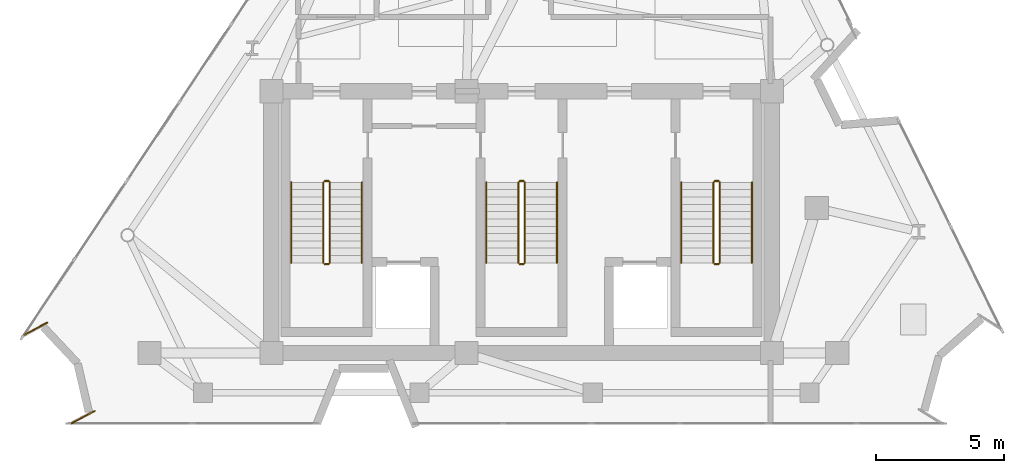
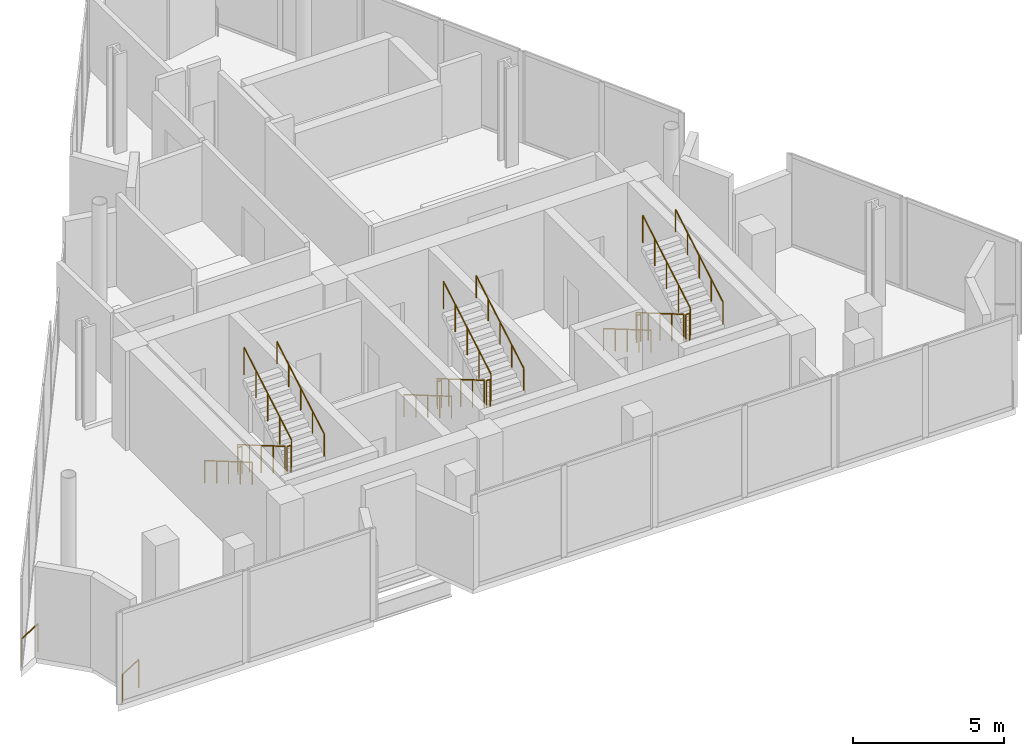
# One storey, part 8 of 9: 20 railings.
"""IFC4 building model written with IfcOpenShell, lengths in metres."""

from ifc_helpers import new_model, si_unit, direction, frame, origin, origin_2d, place, context, subcontext, project, spatial, circle, extrude, material, type_object, element, save


model = new_model("IFC4")

# Units and contexts
model_context = context("Model", 3, precision=1e-05, world=origin(), true_north=direction((0.0, 1.0)))
body_context = subcontext(model_context, "Body", "Model", "MODEL_VIEW")
ifc_project = project(units=[si_unit("LENGTHUNIT", "METRE"), si_unit("AREAUNIT", "SQUARE_METRE"), si_unit("VOLUMEUNIT", "CUBIC_METRE"), si_unit("PLANEANGLEUNIT", "RADIAN"), si_unit("MASSUNIT", "GRAM", prefix="KILO")], contexts=[model_context])

# Site, building, storey
site_placement = place(None, origin())
site = spatial("IfcSite", under=ifc_project, at=site_placement, CompositionType="ELEMENT")
building_placement = place(site_placement, origin())
building = spatial("IfcBuilding", under=site, at=building_placement, Name="Almagre Mirador Tower", CompositionType="ELEMENT")
storey_placement = place(building_placement, frame((0.0, 0.0, 310.5)))
storey = spatial("IfcBuildingStorey", under=building, at=storey_placement, Name="L80", CompositionType="ELEMENT", Elevation=310.5)

# Railings
ifc_material_1 = material(Name="Black anodized aluminium", Category="aluminium")
railing_type_1 = type_object("IfcRailingType", Name="RLG-BAL-1150", PredefinedType="BALUSTRADE", material=ifc_material_1)
railing_1_placement = place(storey_placement, frame((19.74951171875, 1.800537109375, 0.0)))
element("IfcRailing", 1, at=railing_1_placement, inside=storey, type_object=railing_type_1, Name="L80 perimeter edge balustrade 06", PredefinedType="BALUSTRADE", context=body_context, shape_type="SweptSolid", body=[
    extrude(circle(Radius=0.02392578125, at=origin_2d()), frame((0.0, 0.0, 1.1259765625), z_axis=(0.881494030228, 0.472195165871, 0.0), x_axis=(-0.472195165871, 0.881494030228, 0.0)), (0.0, 0.0, 1.0), 1.032470703125),
    extrude(circle(Radius=0.02099609375, at=origin_2d()), origin(), (0.0, 0.0, 1.0), 1.101806640625),
    extrude(circle(Radius=0.02099609375, at=origin_2d()), frame((0.91015625, 0.487548828125, 0.0)), (0.0, 0.0, 1.0), 1.101806640625),
])
railing_2_placement = place(storey_placement, frame((18.814697265625, 5.7373046875, 0.0)))
element("IfcRailing", 2, at=railing_2_placement, inside=storey, type_object=railing_type_1, Name="L80 perimeter edge balustrade 07", PredefinedType="BALUSTRADE", context=body_context, shape_type="SweptSolid", body=[
    extrude(circle(Radius=0.02392578125, at=origin_2d()), frame((0.0, 0.0, 1.1259765625), z_axis=(-0.881985926768, -0.471275741985, 0.0), x_axis=(0.471275741985, -0.881985926768, 0.0)), (0.0, 0.0, 1.0), 1.031982421875),
    extrude(circle(Radius=0.02099609375, at=origin_2d()), origin(), (0.0, 0.0, 1.0), 1.101806640625),
    extrude(circle(Radius=0.02099609375, at=origin_2d()), frame((-0.91015625, -0.486328125, 0.0)), (0.0, 0.0, 1.0), 1.101806640625),
])
ifc_material_2 = material(Name="Painted galvanized steel", Category="steel")
railing_type_2 = type_object("IfcRailingType", Name="RLG-GRD-1100", PredefinedType="GUARDRAIL", material=ifc_material_2)
railing_3_placement = place(storey_placement, frame((29.574951171875, 11.199951171875, 0.166748046875)))
element("IfcRailing", 3, at=railing_3_placement, inside=storey, type_object=railing_type_2, Name="L80 ST-1 stair guard 1", PredefinedType="GUARDRAIL", context=body_context, shape_type="SweptSolid", body=[
    extrude(circle(Radius=0.02392578125, at=origin_2d()), frame((0.0, 0.0, 1.09619140625), z_axis=(0.0, -0.863239559939, 0.504794475164), x_axis=(1.0, 0.0, 0.0)), (0.0, 0.0, 1.0), 3.631591796875),
    extrude(circle(Radius=0.02099609375, at=origin_2d()), origin(), (0.0, 0.0, 1.0), 1.072021484375),
    extrude(circle(Radius=0.02099609375, at=origin_2d()), frame((0.0, -0.78369140625, 0.458251953125)), (0.0, 0.0, 1.0), 1.072021484375),
    extrude(circle(Radius=0.02099609375, at=origin_2d()), frame((0.0, -1.5673828125, 0.91650390625)), (0.0, 0.0, 1.0), 1.072021484375),
    extrude(circle(Radius=0.02099609375, at=origin_2d()), frame((0.0, -2.351318359375, 1.375)), (0.0, 0.0, 1.0), 1.072021484375),
    extrude(circle(Radius=0.02099609375, at=origin_2d()), frame((0.0, -3.135009765625, 1.833251953125)), (0.0, 0.0, 1.0), 1.072021484375),
])
railing_4_placement = place(storey_placement, frame((29.625, 8.014892578125, 2.0)))
element("IfcRailing", 4, at=railing_4_placement, inside=storey, type_object=railing_type_2, Name="L80 ST-1 stair guard 2", PredefinedType="GUARDRAIL", context=body_context, shape_type="SweptSolid", body=[
    extrude(circle(Radius=0.02392578125, at=origin_2d()), frame((0.0, 0.0, 1.09619140625), z_axis=(1.0, 0.0, 0.0), x_axis=(0.0, 1.0, 0.0)), (0.0, 0.0, 1.0), 0.14990234375),
    extrude(circle(Radius=0.02099609375, at=origin_2d()), origin(), (0.0, 0.0, 1.0), 1.072021484375),
    extrude(circle(Radius=0.02099609375, at=origin_2d()), frame((0.14990234375, 0.0, 0.0)), (0.0, 0.0, 1.0), 1.072021484375),
])
railing_5_placement = place(storey_placement, frame((29.824951171875, 8.06494140625, 2.166748046875)))
element("IfcRailing", 5, at=railing_5_placement, inside=storey, type_object=railing_type_2, Name="L80 ST-1 stair guard 3", PredefinedType="GUARDRAIL", context=body_context, shape_type="SweptSolid", body=[
    extrude(circle(Radius=0.02392578125, at=origin_2d()), frame((0.0, 0.0, 1.09619140625), z_axis=(0.0, 0.863239559939, 0.504794475164), x_axis=(-1.0, 0.0, 0.0)), (0.0, 0.0, 1.0), 3.631591796875),
    extrude(circle(Radius=0.02099609375, at=origin_2d()), origin(), (0.0, 0.0, 1.0), 1.072021484375),
    extrude(circle(Radius=0.02099609375, at=origin_2d()), frame((0.0, 0.78369140625, 0.458251953125)), (0.0, 0.0, 1.0), 1.072021484375),
    extrude(circle(Radius=0.02099609375, at=origin_2d()), frame((0.0, 1.5673828125, 0.91650390625)), (0.0, 0.0, 1.0), 1.072021484375),
    extrude(circle(Radius=0.02099609375, at=origin_2d()), frame((0.0, 2.351318359375, 1.375)), (0.0, 0.0, 1.0), 1.072021484375),
    extrude(circle(Radius=0.02099609375, at=origin_2d()), frame((0.0, 3.135009765625, 1.833251953125)), (0.0, 0.0, 1.0), 1.072021484375),
])
railing_6_placement = place(storey_placement, frame((29.625, 11.25, 0.0)))
element("IfcRailing", 6, at=railing_6_placement, inside=storey, type_object=railing_type_2, Name="L80 ST-1 stair guard 4", PredefinedType="GUARDRAIL", context=body_context, shape_type="SweptSolid", body=[
    extrude(circle(Radius=0.02392578125, at=origin_2d()), frame((0.0, 0.0, 1.09619140625), z_axis=(1.0, 0.0, 0.0), x_axis=(0.0, 1.0, 0.0)), (0.0, 0.0, 1.0), 0.14990234375),
    extrude(circle(Radius=0.02099609375, at=origin_2d()), origin(), (0.0, 0.0, 1.0), 1.072021484375),
    extrude(circle(Radius=0.02099609375, at=origin_2d()), frame((0.14990234375, 0.0, 0.0)), (0.0, 0.0, 1.0), 1.072021484375),
])
railing_7_placement = place(storey_placement, frame((37.175048828125, 11.199951171875, 0.166748046875)))
element("IfcRailing", 7, at=railing_7_placement, inside=storey, type_object=railing_type_2, Name="L80 ST-2 stair guard 1", PredefinedType="GUARDRAIL", context=body_context, shape_type="SweptSolid", body=[
    extrude(circle(Radius=0.02392578125, at=origin_2d()), frame((0.0, 0.0, 1.09619140625), z_axis=(0.0, -0.863239559939, 0.504794475164), x_axis=(1.0, 0.0, 0.0)), (0.0, 0.0, 1.0), 3.631591796875),
    extrude(circle(Radius=0.02099609375, at=origin_2d()), origin(), (0.0, 0.0, 1.0), 1.072021484375),
    extrude(circle(Radius=0.02099609375, at=origin_2d()), frame((0.0, -0.78369140625, 0.458251953125)), (0.0, 0.0, 1.0), 1.072021484375),
    extrude(circle(Radius=0.02099609375, at=origin_2d()), frame((0.0, -1.5673828125, 0.91650390625)), (0.0, 0.0, 1.0), 1.072021484375),
    extrude(circle(Radius=0.02099609375, at=origin_2d()), frame((0.0, -2.351318359375, 1.375)), (0.0, 0.0, 1.0), 1.072021484375),
    extrude(circle(Radius=0.02099609375, at=origin_2d()), frame((0.0, -3.135009765625, 1.833251953125)), (0.0, 0.0, 1.0), 1.072021484375),
])
railing_8_placement = place(storey_placement, frame((37.22509765625, 8.014892578125, 2.0)))
element("IfcRailing", 8, at=railing_8_placement, inside=storey, type_object=railing_type_2, Name="L80 ST-2 stair guard 2", PredefinedType="GUARDRAIL", context=body_context, shape_type="SweptSolid", body=[
    extrude(circle(Radius=0.02392578125, at=origin_2d()), frame((0.0, 0.0, 1.09619140625), z_axis=(1.0, 0.0, 0.0), x_axis=(0.0, 1.0, 0.0)), (0.0, 0.0, 1.0), 0.14990234375),
    extrude(circle(Radius=0.02099609375, at=origin_2d()), origin(), (0.0, 0.0, 1.0), 1.072021484375),
    extrude(circle(Radius=0.02099609375, at=origin_2d()), frame((0.14990234375, 0.0, 0.0)), (0.0, 0.0, 1.0), 1.072021484375),
])
railing_9_placement = place(storey_placement, frame((37.425048828125, 8.06494140625, 2.166748046875)))
element("IfcRailing", 9, at=railing_9_placement, inside=storey, type_object=railing_type_2, Name="L80 ST-2 stair guard 3", PredefinedType="GUARDRAIL", context=body_context, shape_type="SweptSolid", body=[
    extrude(circle(Radius=0.02392578125, at=origin_2d()), frame((0.0, 0.0, 1.09619140625), z_axis=(0.0, 0.863239559939, 0.504794475164), x_axis=(-1.0, 0.0, 0.0)), (0.0, 0.0, 1.0), 3.631591796875),
    extrude(circle(Radius=0.02099609375, at=origin_2d()), origin(), (0.0, 0.0, 1.0), 1.072021484375),
    extrude(circle(Radius=0.02099609375, at=origin_2d()), frame((0.0, 0.78369140625, 0.458251953125)), (0.0, 0.0, 1.0), 1.072021484375),
    extrude(circle(Radius=0.02099609375, at=origin_2d()), frame((0.0, 1.5673828125, 0.91650390625)), (0.0, 0.0, 1.0), 1.072021484375),
    extrude(circle(Radius=0.02099609375, at=origin_2d()), frame((0.0, 2.351318359375, 1.375)), (0.0, 0.0, 1.0), 1.072021484375),
    extrude(circle(Radius=0.02099609375, at=origin_2d()), frame((0.0, 3.135009765625, 1.833251953125)), (0.0, 0.0, 1.0), 1.072021484375),
])
railing_10_placement = place(storey_placement, frame((37.22509765625, 11.25, 0.0)))
element("IfcRailing", 10, at=railing_10_placement, inside=storey, type_object=railing_type_2, Name="L80 ST-2 stair guard 4", PredefinedType="GUARDRAIL", context=body_context, shape_type="SweptSolid", body=[
    extrude(circle(Radius=0.02392578125, at=origin_2d()), frame((0.0, 0.0, 1.09619140625), z_axis=(1.0, 0.0, 0.0), x_axis=(0.0, 1.0, 0.0)), (0.0, 0.0, 1.0), 0.14990234375),
    extrude(circle(Radius=0.02099609375, at=origin_2d()), origin(), (0.0, 0.0, 1.0), 1.072021484375),
    extrude(circle(Radius=0.02099609375, at=origin_2d()), frame((0.14990234375, 0.0, 0.0)), (0.0, 0.0, 1.0), 1.072021484375),
])
railing_11_placement = place(storey_placement, frame((44.77490234375, 11.199951171875, 0.166748046875)))
element("IfcRailing", 11, at=railing_11_placement, inside=storey, type_object=railing_type_2, Name="L80 ST-3 stair guard 1", PredefinedType="GUARDRAIL", context=body_context, shape_type="SweptSolid", body=[
    extrude(circle(Radius=0.02392578125, at=origin_2d()), frame((0.0, 0.0, 1.09619140625), z_axis=(0.0, -0.863239559939, 0.504794475164), x_axis=(1.0, 0.0, 0.0)), (0.0, 0.0, 1.0), 3.631591796875),
    extrude(circle(Radius=0.02099609375, at=origin_2d()), origin(), (0.0, 0.0, 1.0), 1.072021484375),
    extrude(circle(Radius=0.02099609375, at=origin_2d()), frame((0.0, -0.78369140625, 0.458251953125)), (0.0, 0.0, 1.0), 1.072021484375),
    extrude(circle(Radius=0.02099609375, at=origin_2d()), frame((0.0, -1.5673828125, 0.91650390625)), (0.0, 0.0, 1.0), 1.072021484375),
    extrude(circle(Radius=0.02099609375, at=origin_2d()), frame((0.0, -2.351318359375, 1.375)), (0.0, 0.0, 1.0), 1.072021484375),
    extrude(circle(Radius=0.02099609375, at=origin_2d()), frame((0.0, -3.135009765625, 1.833251953125)), (0.0, 0.0, 1.0), 1.072021484375),
])
railing_12_placement = place(storey_placement, frame((44.824951171875, 8.014892578125, 2.0)))
element("IfcRailing", 12, at=railing_12_placement, inside=storey, type_object=railing_type_2, Name="L80 ST-3 stair guard 2", PredefinedType="GUARDRAIL", context=body_context, shape_type="SweptSolid", body=[
    extrude(circle(Radius=0.02392578125, at=origin_2d()), frame((0.0, 0.0, 1.09619140625), z_axis=(1.0, 0.0, 0.0), x_axis=(0.0, 1.0, 0.0)), (0.0, 0.0, 1.0), 0.150146484375),
    extrude(circle(Radius=0.02099609375, at=origin_2d()), origin(), (0.0, 0.0, 1.0), 1.072021484375),
    extrude(circle(Radius=0.02099609375, at=origin_2d()), frame((0.150146484375, 0.0, 0.0)), (0.0, 0.0, 1.0), 1.072021484375),
])
railing_13_placement = place(storey_placement, frame((45.02490234375, 8.06494140625, 2.166748046875)))
element("IfcRailing", 13, at=railing_13_placement, inside=storey, type_object=railing_type_2, Name="L80 ST-3 stair guard 3", PredefinedType="GUARDRAIL", context=body_context, shape_type="SweptSolid", body=[
    extrude(circle(Radius=0.02392578125, at=origin_2d()), frame((0.0, 0.0, 1.09619140625), z_axis=(0.0, 0.863239559939, 0.504794475164), x_axis=(-1.0, 0.0, 0.0)), (0.0, 0.0, 1.0), 3.631591796875),
    extrude(circle(Radius=0.02099609375, at=origin_2d()), origin(), (0.0, 0.0, 1.0), 1.072021484375),
    extrude(circle(Radius=0.02099609375, at=origin_2d()), frame((0.0, 0.78369140625, 0.458251953125)), (0.0, 0.0, 1.0), 1.072021484375),
    extrude(circle(Radius=0.02099609375, at=origin_2d()), frame((0.0, 1.5673828125, 0.91650390625)), (0.0, 0.0, 1.0), 1.072021484375),
    extrude(circle(Radius=0.02099609375, at=origin_2d()), frame((0.0, 2.351318359375, 1.375)), (0.0, 0.0, 1.0), 1.072021484375),
    extrude(circle(Radius=0.02099609375, at=origin_2d()), frame((0.0, 3.135009765625, 1.833251953125)), (0.0, 0.0, 1.0), 1.072021484375),
])
railing_14_placement = place(storey_placement, frame((44.824951171875, 11.25, 0.0)))
element("IfcRailing", 14, at=railing_14_placement, inside=storey, type_object=railing_type_2, Name="L80 ST-3 stair guard 4", PredefinedType="GUARDRAIL", context=body_context, shape_type="SweptSolid", body=[
    extrude(circle(Radius=0.02392578125, at=origin_2d()), frame((0.0, 0.0, 1.09619140625), z_axis=(1.0, 0.0, 0.0), x_axis=(0.0, 1.0, 0.0)), (0.0, 0.0, 1.0), 0.150146484375),
    extrude(circle(Radius=0.02099609375, at=origin_2d()), origin(), (0.0, 0.0, 1.0), 1.072021484375),
    extrude(circle(Radius=0.02099609375, at=origin_2d()), frame((0.150146484375, 0.0, 0.0)), (0.0, 0.0, 1.0), 1.072021484375),
])
ifc_material_3 = material(Name="Brushed stainless steel", Category="steel")
railing_type_3 = type_object("IfcRailingType", Name="RLG-HND-915", PredefinedType="HANDRAIL", material=ifc_material_3)
railing_15_placement = place(storey_placement, frame((28.324951171875, 11.199951171875, 0.166748046875)))
element("IfcRailing", 15, at=railing_15_placement, inside=storey, type_object=railing_type_3, Name="L80 ST-1 stair handrail 1", PredefinedType="HANDRAIL", context=body_context, shape_type="SweptSolid", body=[
    extrude(circle(Radius=0.02392578125, at=origin_2d()), frame((0.0, 0.0, 0.89111328125), z_axis=(0.0, -0.863239559939, 0.504794475164), x_axis=(1.0, 0.0, 0.0)), (0.0, 0.0, 1.0), 3.631591796875),
    extrude(circle(Radius=0.02099609375, at=origin_2d()), origin(), (0.0, 0.0, 1.0), 0.866943359375),
    extrude(circle(Radius=0.02099609375, at=origin_2d()), frame((0.0, -0.78369140625, 0.458251953125)), (0.0, 0.0, 1.0), 0.866943359375),
    extrude(circle(Radius=0.02099609375, at=origin_2d()), frame((0.0, -1.5673828125, 0.91650390625)), (0.0, 0.0, 1.0), 0.866943359375),
    extrude(circle(Radius=0.02099609375, at=origin_2d()), frame((0.0, -2.351318359375, 1.375)), (0.0, 0.0, 1.0), 0.866943359375),
    extrude(circle(Radius=0.02099609375, at=origin_2d()), frame((0.0, -3.135009765625, 1.833251953125)), (0.0, 0.0, 1.0), 0.866943359375),
])
railing_16_placement = place(storey_placement, frame((31.074951171875, 8.06494140625, 2.166748046875)))
element("IfcRailing", 16, at=railing_16_placement, inside=storey, type_object=railing_type_3, Name="L80 ST-1 stair handrail 2", PredefinedType="HANDRAIL", context=body_context, shape_type="SweptSolid", body=[
    extrude(circle(Radius=0.02392578125, at=origin_2d()), frame((0.0, 0.0, 0.89111328125), z_axis=(0.0, 0.863239559939, 0.504794475164), x_axis=(-1.0, 0.0, 0.0)), (0.0, 0.0, 1.0), 3.631591796875),
    extrude(circle(Radius=0.02099609375, at=origin_2d()), origin(), (0.0, 0.0, 1.0), 0.866943359375),
    extrude(circle(Radius=0.02099609375, at=origin_2d()), frame((0.0, 0.78369140625, 0.458251953125)), (0.0, 0.0, 1.0), 0.866943359375),
    extrude(circle(Radius=0.02099609375, at=origin_2d()), frame((0.0, 1.5673828125, 0.91650390625)), (0.0, 0.0, 1.0), 0.866943359375),
    extrude(circle(Radius=0.02099609375, at=origin_2d()), frame((0.0, 2.351318359375, 1.375)), (0.0, 0.0, 1.0), 0.866943359375),
    extrude(circle(Radius=0.02099609375, at=origin_2d()), frame((0.0, 3.135009765625, 1.833251953125)), (0.0, 0.0, 1.0), 0.866943359375),
])
railing_17_placement = place(storey_placement, frame((35.925048828125, 11.199951171875, 0.166748046875)))
element("IfcRailing", 17, at=railing_17_placement, inside=storey, type_object=railing_type_3, Name="L80 ST-2 stair handrail 1", PredefinedType="HANDRAIL", context=body_context, shape_type="SweptSolid", body=[
    extrude(circle(Radius=0.02392578125, at=origin_2d()), frame((0.0, 0.0, 0.89111328125), z_axis=(0.0, -0.863239559939, 0.504794475164), x_axis=(1.0, 0.0, 0.0)), (0.0, 0.0, 1.0), 3.631591796875),
    extrude(circle(Radius=0.02099609375, at=origin_2d()), origin(), (0.0, 0.0, 1.0), 0.866943359375),
    extrude(circle(Radius=0.02099609375, at=origin_2d()), frame((0.0, -0.78369140625, 0.458251953125)), (0.0, 0.0, 1.0), 0.866943359375),
    extrude(circle(Radius=0.02099609375, at=origin_2d()), frame((0.0, -1.5673828125, 0.91650390625)), (0.0, 0.0, 1.0), 0.866943359375),
    extrude(circle(Radius=0.02099609375, at=origin_2d()), frame((0.0, -2.351318359375, 1.375)), (0.0, 0.0, 1.0), 0.866943359375),
    extrude(circle(Radius=0.02099609375, at=origin_2d()), frame((0.0, -3.135009765625, 1.833251953125)), (0.0, 0.0, 1.0), 0.866943359375),
])
railing_18_placement = place(storey_placement, frame((38.675048828125, 8.06494140625, 2.166748046875)))
element("IfcRailing", 18, at=railing_18_placement, inside=storey, type_object=railing_type_3, Name="L80 ST-2 stair handrail 2", PredefinedType="HANDRAIL", context=body_context, shape_type="SweptSolid", body=[
    extrude(circle(Radius=0.02392578125, at=origin_2d()), frame((0.0, 0.0, 0.89111328125), z_axis=(0.0, 0.863239559939, 0.504794475164), x_axis=(-1.0, 0.0, 0.0)), (0.0, 0.0, 1.0), 3.631591796875),
    extrude(circle(Radius=0.02099609375, at=origin_2d()), origin(), (0.0, 0.0, 1.0), 0.866943359375),
    extrude(circle(Radius=0.02099609375, at=origin_2d()), frame((0.0, 0.78369140625, 0.458251953125)), (0.0, 0.0, 1.0), 0.866943359375),
    extrude(circle(Radius=0.02099609375, at=origin_2d()), frame((0.0, 1.5673828125, 0.91650390625)), (0.0, 0.0, 1.0), 0.866943359375),
    extrude(circle(Radius=0.02099609375, at=origin_2d()), frame((0.0, 2.351318359375, 1.375)), (0.0, 0.0, 1.0), 0.866943359375),
    extrude(circle(Radius=0.02099609375, at=origin_2d()), frame((0.0, 3.135009765625, 1.833251953125)), (0.0, 0.0, 1.0), 0.866943359375),
])
railing_19_placement = place(storey_placement, frame((43.52490234375, 11.199951171875, 0.166748046875)))
element("IfcRailing", 19, at=railing_19_placement, inside=storey, type_object=railing_type_3, Name="L80 ST-3 stair handrail 1", PredefinedType="HANDRAIL", context=body_context, shape_type="SweptSolid", body=[
    extrude(circle(Radius=0.02392578125, at=origin_2d()), frame((0.0, 0.0, 0.89111328125), z_axis=(0.0, -0.863239559939, 0.504794475164), x_axis=(1.0, 0.0, 0.0)), (0.0, 0.0, 1.0), 3.631591796875),
    extrude(circle(Radius=0.02099609375, at=origin_2d()), origin(), (0.0, 0.0, 1.0), 0.866943359375),
    extrude(circle(Radius=0.02099609375, at=origin_2d()), frame((0.0, -0.78369140625, 0.458251953125)), (0.0, 0.0, 1.0), 0.866943359375),
    extrude(circle(Radius=0.02099609375, at=origin_2d()), frame((0.0, -1.5673828125, 0.91650390625)), (0.0, 0.0, 1.0), 0.866943359375),
    extrude(circle(Radius=0.02099609375, at=origin_2d()), frame((0.0, -2.351318359375, 1.375)), (0.0, 0.0, 1.0), 0.866943359375),
    extrude(circle(Radius=0.02099609375, at=origin_2d()), frame((0.0, -3.135009765625, 1.833251953125)), (0.0, 0.0, 1.0), 0.866943359375),
])
railing_20_placement = place(storey_placement, frame((46.27490234375, 8.06494140625, 2.166748046875)))
element("IfcRailing", 20, at=railing_20_placement, inside=storey, type_object=railing_type_3, Name="L80 ST-3 stair handrail 2", PredefinedType="HANDRAIL", context=body_context, shape_type="SweptSolid", body=[
    extrude(circle(Radius=0.02392578125, at=origin_2d()), frame((0.0, 0.0, 0.89111328125), z_axis=(0.0, 0.863239559939, 0.504794475164), x_axis=(-1.0, 0.0, 0.0)), (0.0, 0.0, 1.0), 3.631591796875),
    extrude(circle(Radius=0.02099609375, at=origin_2d()), origin(), (0.0, 0.0, 1.0), 0.866943359375),
    extrude(circle(Radius=0.02099609375, at=origin_2d()), frame((0.0, 0.78369140625, 0.458251953125)), (0.0, 0.0, 1.0), 0.866943359375),
    extrude(circle(Radius=0.02099609375, at=origin_2d()), frame((0.0, 1.5673828125, 0.91650390625)), (0.0, 0.0, 1.0), 0.866943359375),
    extrude(circle(Radius=0.02099609375, at=origin_2d()), frame((0.0, 2.351318359375, 1.375)), (0.0, 0.0, 1.0), 0.866943359375),
    extrude(circle(Radius=0.02099609375, at=origin_2d()), frame((0.0, 3.135009765625, 1.833251953125)), (0.0, 0.0, 1.0), 0.866943359375),
])

save(model, "model.ifc")
